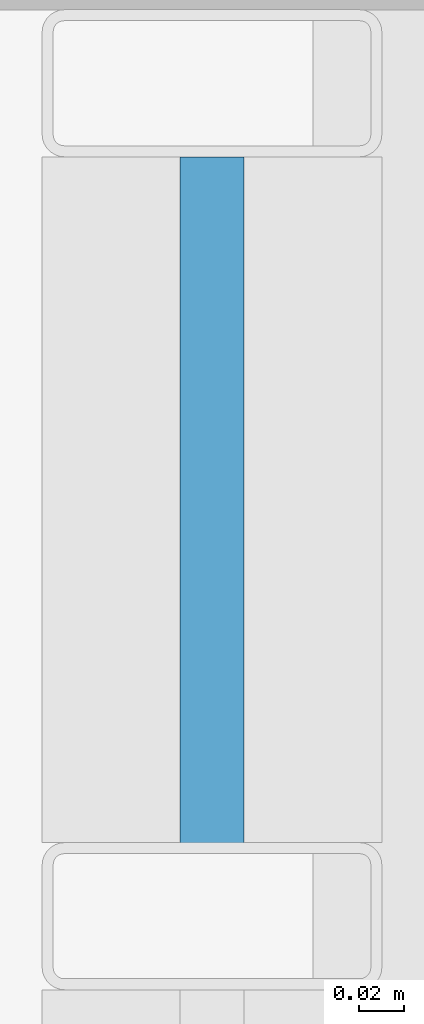
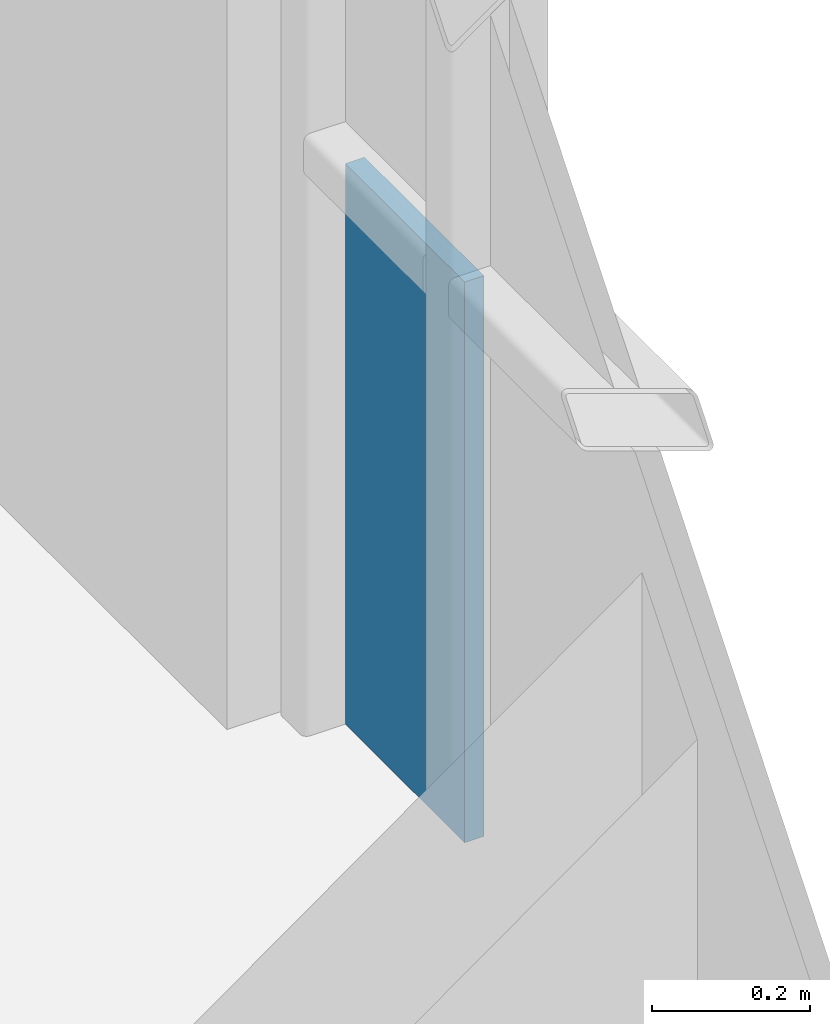
# One storey, part 30 of 40: 1 plate, 1 element without a shape of its own.
"""IFC4 building model written with IfcOpenShell, lengths in metres."""

from ifc_helpers import new_model, si_unit, direction, frame, origin, origin_2d, place, context, subcontext, project, spatial, rectangle, extrude, material, layer, layer_set, type_object, element, aggregate, save


model = new_model("IFC4")

# Units and contexts
model_context = context("Model", 3, precision=1e-05, world=origin(), true_north=direction((0.0, 1.0)))
body_context = subcontext(model_context, "Body", "Model", "MODEL_VIEW")
ifc_project = project(units=[si_unit("LENGTHUNIT", "METRE"), si_unit("AREAUNIT", "SQUARE_METRE"), si_unit("VOLUMEUNIT", "CUBIC_METRE"), si_unit("PLANEANGLEUNIT", "RADIAN"), si_unit("MASSUNIT", "GRAM", prefix="KILO")], contexts=[model_context])

# Site, building, storey
site_placement = place(None, origin())
site = spatial("IfcSite", under=ifc_project, at=site_placement, CompositionType="ELEMENT")
building_placement = place(site_placement, origin())
building = spatial("IfcBuilding", under=site, at=building_placement, Name="Brevholm Reach", CompositionType="ELEMENT")
storey_placement = place(building_placement, frame((0.0, 0.0, 62.10009765625)))
storey = spatial("IfcBuildingStorey", under=building, at=storey_placement, Name="L17", CompositionType="ELEMENT", Elevation=62.10009765625)

# Curtain wall, plate
ifc_material_1 = material(Name="Dark Anodised Aluminium 6063-T6 and Solar-Control Glass", Category="aluminium")
ifc_layer_1 = layer(ifc_material_1, 0.14990234375)
ifc_layer_set_1 = layer_set([ifc_layer_1], Name="Dark Anodised Aluminium 6063-T6 and Solar-Control Glass")
curtain_wall_type = type_object("IfcCurtainWallType", Name="CW-01", PredefinedType="NOTDEFINED", material=ifc_layer_set_1)
curtain_wall_placement = place(storey_placement, origin())
curtain_wall = element("IfcCurtainWall", 1, at=curtain_wall_placement, inside=storey, type_object=curtain_wall_type, Name="L17 Curtain Wall CW-01", PredefinedType="NOTDEFINED")
ifc_material_2 = material(Name="Dark Solar-Control Double-Glazed IGU Glass", Category="glass")
ifc_layer_2 = layer(ifc_material_2, 0.028076171875)
ifc_layer_set_2 = layer_set([ifc_layer_2], Name="Dark Solar-Control Double-Glazed IGU Glass")
plate_type = type_object("IfcPlateType", Name="CWP-GLZ-28", PredefinedType="CURTAIN_PANEL", material=ifc_layer_set_2)
plate_placement = place(storey_placement, frame((59.85009765625, 22.733642578125, 0.0), z_axis=(0.0, 0.0, 1.0), x_axis=(0.0, 1.0, 0.0)))
plate = element("IfcPlate", 2, at=plate_placement, type_object=plate_type, Name="CP-01 Glazing Panel 5.1", PredefinedType="CURTAIN_PANEL", context=body_context, shape_type="SweptSolid", body=[
    extrude(rectangle(XDim=0.302490234375, YDim=0.028076171875, at=origin_2d()), origin(), (0.0, 0.0, 1.0), 0.867431640625),
])
aggregate(curtain_wall, [plate])

save(model, "model.ifc")
